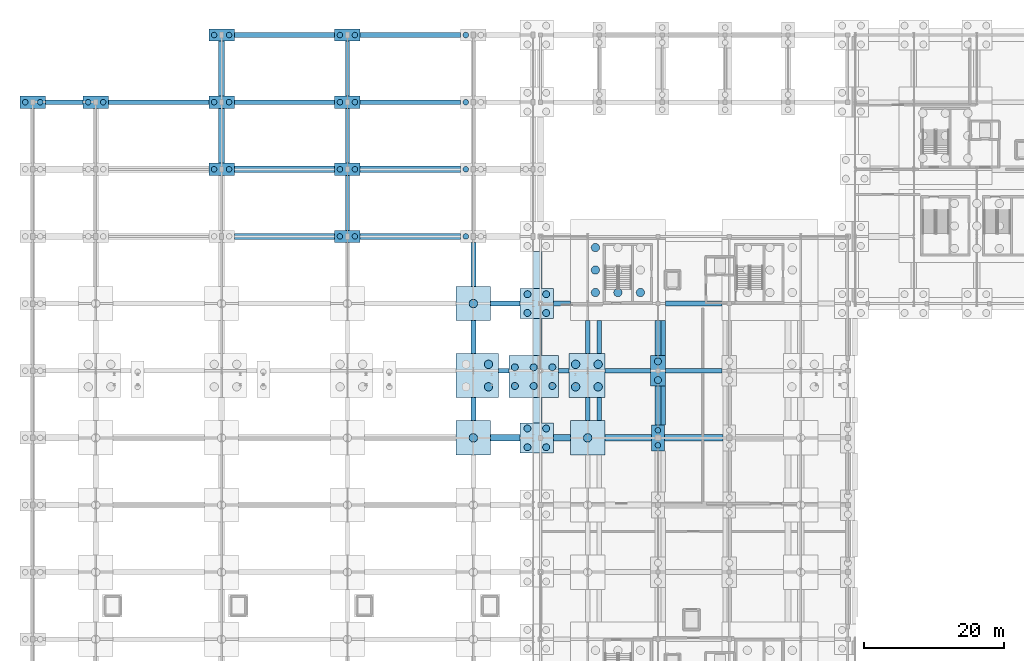
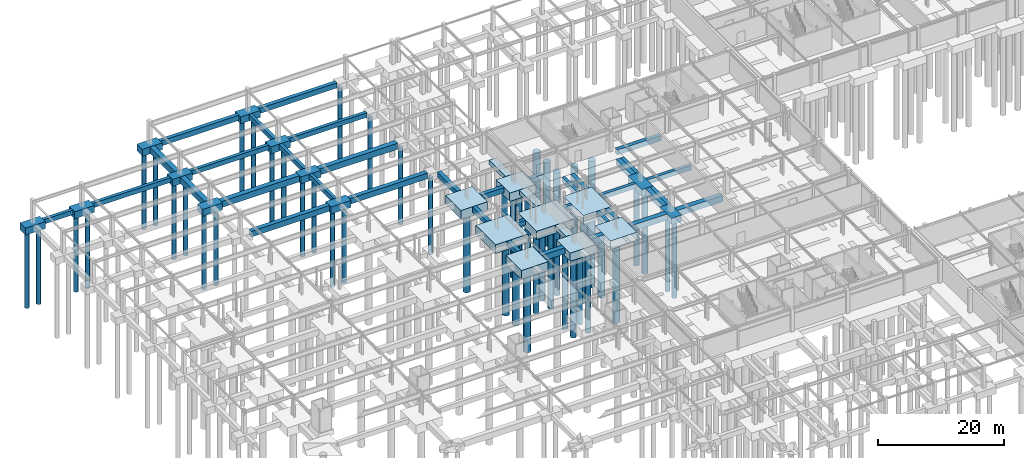
# One storey, part 5 of 59: 59 footings, 54 piles.
"""IFC4 building model written with IfcOpenShell, lengths in metres."""

from ifc_helpers import new_model, si_unit, direction, frame, origin, origin_2d, place, context, subcontext, project, spatial, rectangle, circle, extrude, material, material_profile, profile_set, type_object, element, save


model = new_model("IFC4")

# Units and contexts
model_context = context("Model", 3, precision=1e-05, world=origin(), true_north=direction((0.0, 1.0)))
body_context = subcontext(model_context, "Body", "Model", "MODEL_VIEW")
ifc_project = project(units=[si_unit("LENGTHUNIT", "METRE"), si_unit("AREAUNIT", "SQUARE_METRE"), si_unit("VOLUMEUNIT", "CUBIC_METRE"), si_unit("PLANEANGLEUNIT", "RADIAN"), si_unit("MASSUNIT", "GRAM", prefix="KILO")], contexts=[model_context])

# Site, building, storey
site_placement = place(None, origin())
site = spatial("IfcSite", under=ifc_project, at=site_placement, CompositionType="ELEMENT")
building_placement = place(site_placement, origin())
building = spatial("IfcBuilding", under=site, at=building_placement, Name="Myrtia Square Station", CompositionType="ELEMENT")
storey_placement = place(building_placement, frame((0.0, 0.0, -4.5)))
storey = spatial("IfcBuildingStorey", under=building, at=storey_placement, Name="B01", CompositionType="ELEMENT", Elevation=-4.5)

# Footings
ifc_material = material(Name="Concrete C35/45", Category="concrete")
ifc_material_profile_1 = material_profile(ifc_material, rectangle(XDim=0.60009765625, YDim=0.89990234375, at=origin_2d()), Name="FB 600x900")
ifc_profile_set_1 = profile_set([ifc_material_profile_1], Name="Concrete C35/45")
footing_type_1 = type_object("IfcFootingType", Name="FBM-600x900", PredefinedType="FOOTING_BEAM", material=ifc_profile_set_1)
for number, where, z_axis, x_axis, name in (
    (1, (66.570068359375, 76.800048828125, -0.449951171875), (1.0, 0.0, 0.0), (0.0, 1.0, 0.0), "Seismic foundation tie beam X-0092"),
    (2, (75.169921875, 76.800048828125, -0.449951171875), (1.0, 0.0, 0.0), (0.0, 1.0, 0.0), "Seismic foundation tie beam X-0093"),
):
    element("IfcFooting", number, at=place(storey_placement, frame(where, z_axis=z_axis, x_axis=x_axis)), inside=storey, type_object=footing_type_1, Name=name, PredefinedType="FOOTING_BEAM", context=body_context, shape_type="SweptSolid", body=[
        extrude(rectangle(XDim=0.60009765625, YDim=0.89990234375, at=origin_2d()), origin(), (0.0, 0.0, 1.0), 1.5),
    ])
footing_1_placement = place(storey_placement, frame((81.800048828125, 76.800048828125, -0.449951171875), z_axis=(1.0, 0.0, 0.0), x_axis=(0.0, 1.0, 0.0)))
element("IfcFooting", 3, at=footing_1_placement, inside=storey, type_object=footing_type_1, Name="Seismic foundation tie beam X-0094", PredefinedType="FOOTING_BEAM", context=body_context, shape_type="SweptSolid", body=[
    extrude(rectangle(XDim=0.60009765625, YDim=0.89990234375, at=origin_2d()), origin(), (0.0, 0.0, 1.0), 6.550048828125),
])
footing_2_placement = place(storey_placement, frame((90.449951171875, 76.800048828125, -0.449951171875), z_axis=(1.0, 0.0, 0.0), x_axis=(0.0, 1.0, 0.0)))
element("IfcFooting", 4, at=footing_2_placement, inside=storey, type_object=footing_type_1, Name="Seismic foundation tie beam X-0095", PredefinedType="FOOTING_BEAM", context=body_context, shape_type="SweptSolid", body=[
    extrude(rectangle(XDim=0.60009765625, YDim=0.89990234375, at=origin_2d()), origin(), (0.0, 0.0, 1.0), 8.10009765625),
])
footing_3_placement = place(storey_placement, frame((1.820068359375, 115.199951171875, -0.449951171875), z_axis=(1.0, 0.0, 0.0), x_axis=(0.0, 1.0, 0.0)))
element("IfcFooting", 5, at=footing_3_placement, inside=storey, type_object=footing_type_1, Name="Seismic foundation tie beam X-0130", PredefinedType="FOOTING_BEAM", context=body_context, shape_type="SweptSolid", body=[
    extrude(rectangle(XDim=0.60009765625, YDim=0.89990234375, at=origin_2d()), origin(), (0.0, 0.0, 1.0), 5.35986328125),
])
for number, where, z_axis, x_axis, name in (
    (6, (10.820068359375, 115.199951171875, -0.449951171875), (1.0, 0.0, 0.0), (0.0, 1.0, 0.0), "Seismic foundation tie beam X-0131"),
    (7, (28.820068359375, 115.199951171875, -0.449951171875), (1.0, 0.0, 0.0), (0.0, 1.0, 0.0), "Seismic foundation tie beam X-0132"),
    (8, (46.820068359375, 115.199951171875, -0.449951171875), (1.0, 0.0, 0.0), (0.0, 1.0, 0.0), "Seismic foundation tie beam X-0133"),
):
    element("IfcFooting", number, at=place(storey_placement, frame(where, z_axis=z_axis, x_axis=x_axis)), inside=storey, type_object=footing_type_1, Name=name, PredefinedType="FOOTING_BEAM", context=body_context, shape_type="SweptSolid", body=[
        extrude(rectangle(XDim=0.60009765625, YDim=0.89990234375, at=origin_2d()), origin(), (0.0, 0.0, 1.0), 14.35986328125),
    ])
for number, where, z_axis, x_axis, name in (
    (9, (45.0, 96.8798828125, -0.449951171875), (0.0, 1.0, 0.0), (-1.0, 0.0, 0.0), "Seismic foundation tie beam Y-0199"),
    (10, (45.0, 106.47998046875, -0.449951171875), (0.0, 1.0, 0.0), (-1.0, 0.0, 0.0), "Seismic foundation tie beam Y-0200"),
):
    element("IfcFooting", number, at=place(storey_placement, frame(where, z_axis=z_axis, x_axis=x_axis)), inside=storey, type_object=footing_type_1, Name=name, PredefinedType="FOOTING_BEAM", context=body_context, shape_type="SweptSolid", body=[
        extrude(rectangle(XDim=0.60009765625, YDim=0.89990234375, at=origin_2d()), origin(), (0.0, 0.0, 1.0), 7.840087890625),
    ])
footing_4_placement = place(storey_placement, frame((45.0, 116.080078125, -0.449951171875), z_axis=(0.0, 1.0, 0.0), x_axis=(-1.0, 0.0, 0.0)))
element("IfcFooting", 11, at=footing_4_placement, inside=storey, type_object=footing_type_1, Name="Seismic foundation tie beam Y-0201", PredefinedType="FOOTING_BEAM", context=body_context, shape_type="SweptSolid", body=[
    extrude(rectangle(XDim=0.60009765625, YDim=0.89990234375, at=origin_2d()), origin(), (0.0, 0.0, 1.0), 7.83984375),
])
footing_5_placement = place(storey_placement, frame((79.35009765625, 69.64990234375, -0.449951171875), z_axis=(0.0, 1.0, 0.0), x_axis=(-1.0, 0.0, 0.0)))
element("IfcFooting", 12, at=footing_5_placement, inside=storey, type_object=footing_type_1, Name="Seismic foundation tie beam Y-0233", PredefinedType="FOOTING_BEAM", context=body_context, shape_type="SweptSolid", body=[
    extrude(rectangle(XDim=0.60009765625, YDim=0.89990234375, at=origin_2d()), origin(), (0.0, 0.0, 1.0), 3.31005859375),
])
footing_6_placement = place(storey_placement, frame((79.35009765625, 79.25, -0.449951171875), z_axis=(0.0, 1.0, 0.0), x_axis=(-1.0, 0.0, 0.0)))
element("IfcFooting", 13, at=footing_6_placement, inside=storey, type_object=footing_type_1, Name="Seismic foundation tie beam Y-0234", PredefinedType="FOOTING_BEAM", context=body_context, shape_type="SweptSolid", body=[
    extrude(rectangle(XDim=0.60009765625, YDim=0.89990234375, at=origin_2d()), origin(), (0.0, 0.0, 1.0), 4.699951171875),
])
ifc_material_profile_2 = material_profile(ifc_material, rectangle(XDim=0.699951171875, YDim=1.0, at=origin_2d()), Name="FB 700x1000")
ifc_profile_set_2 = profile_set([ifc_material_profile_2], Name="Concrete C35/45")
footing_type_2 = type_object("IfcFootingType", Name="FBM-700x1000", PredefinedType="FOOTING_BEAM", material=ifc_profile_set_2)
footing_7_placement = place(storey_placement, frame((65.449951171875, 86.39990234375, -0.5), z_axis=(1.0, 0.0, 0.0), x_axis=(0.0, 1.0, 0.0)))
element("IfcFooting", 14, at=footing_7_placement, inside=storey, type_object=footing_type_2, Name="Seismic foundation tie beam X-0103", PredefinedType="FOOTING_BEAM", context=body_context, shape_type="SweptSolid", body=[
    extrude(rectangle(XDim=0.699951171875, YDim=1.0, at=origin_2d()), origin(), (0.0, 0.0, 1.0), 4.22509765625),
])
footing_8_placement = place(storey_placement, frame((74.47509765625, 86.39990234375, -0.5), z_axis=(1.0, 0.0, 0.0), x_axis=(0.0, 1.0, 0.0)))
element("IfcFooting", 15, at=footing_8_placement, inside=storey, type_object=footing_type_2, Name="Seismic foundation tie beam X-0104", PredefinedType="FOOTING_BEAM", context=body_context, shape_type="SweptSolid", body=[
    extrude(rectangle(XDim=0.699951171875, YDim=1.0, at=origin_2d()), origin(), (0.0, 0.0, 1.0), 2.4248046875),
])
footing_9_placement = place(storey_placement, frame((90.449951171875, 86.39990234375, -0.5), z_axis=(1.0, 0.0, 0.0), x_axis=(0.0, 1.0, 0.0)))
element("IfcFooting", 16, at=footing_9_placement, inside=storey, type_object=footing_type_2, Name="Seismic foundation tie beam X-0105", PredefinedType="FOOTING_BEAM", context=body_context, shape_type="SweptSolid", body=[
    extrude(rectangle(XDim=0.699951171875, YDim=1.0, at=origin_2d()), origin(), (0.0, 0.0, 1.0), 8.10009765625),
])
for number, where, z_axis, x_axis, name in (
    (17, (28.820068359375, 124.800048828125, -0.5), (1.0, 0.0, 0.0), (0.0, 1.0, 0.0), "Seismic foundation tie beam X-0145"),
    (18, (46.820068359375, 124.800048828125, -0.5), (1.0, 0.0, 0.0), (0.0, 1.0, 0.0), "Seismic foundation tie beam X-0146"),
):
    element("IfcFooting", number, at=place(storey_placement, frame(where, z_axis=z_axis, x_axis=x_axis)), inside=storey, type_object=footing_type_2, Name=name, PredefinedType="FOOTING_BEAM", context=body_context, shape_type="SweptSolid", body=[
        extrude(rectangle(XDim=0.699951171875, YDim=1.0, at=origin_2d()), origin(), (0.0, 0.0, 1.0), 14.35986328125),
    ])
footing_10_placement = place(storey_placement, frame((63.0, 69.64990234375, -0.5), z_axis=(0.0, 1.0, 0.0), x_axis=(-1.0, 0.0, 0.0)))
element("IfcFooting", 19, at=footing_10_placement, inside=storey, type_object=footing_type_2, Name="Seismic foundation tie beam Y-0209", PredefinedType="FOOTING_BEAM", context=body_context, shape_type="SweptSolid", body=[
    extrude(rectangle(XDim=0.699951171875, YDim=1.0, at=origin_2d()), origin(), (0.0, 0.0, 1.0), 3.31005859375),
])
footing_11_placement = place(storey_placement, frame((63.0, 79.25, -0.5), z_axis=(0.0, 1.0, 0.0), x_axis=(-1.0, 0.0, 0.0)))
element("IfcFooting", 20, at=footing_11_placement, inside=storey, type_object=footing_type_2, Name="Seismic foundation tie beam Y-0210", PredefinedType="FOOTING_BEAM", context=body_context, shape_type="SweptSolid", body=[
    extrude(rectangle(XDim=0.699951171875, YDim=1.0, at=origin_2d()), origin(), (0.0, 0.0, 1.0), 4.699951171875),
])
footing_12_placement = place(storey_placement, frame((63.0, 88.85009765625, -0.5), z_axis=(0.0, 1.0, 0.0), x_axis=(-1.0, 0.0, 0.0)))
element("IfcFooting", 21, at=footing_12_placement, inside=storey, type_object=footing_type_2, Name="Seismic foundation tie beam Y-0211", PredefinedType="FOOTING_BEAM", context=body_context, shape_type="SweptSolid", body=[
    extrude(rectangle(XDim=0.699951171875, YDim=1.0, at=origin_2d()), origin(), (0.0, 0.0, 1.0), 6.27001953125),
])
footing_13_placement = place(storey_placement, frame((81.0, 69.64990234375, -0.5), z_axis=(0.0, 1.0, 0.0), x_axis=(-1.0, 0.0, 0.0)))
element("IfcFooting", 22, at=footing_13_placement, inside=storey, type_object=footing_type_2, Name="Seismic foundation tie beam Y-0241", PredefinedType="FOOTING_BEAM", context=body_context, shape_type="SweptSolid", body=[
    extrude(rectangle(XDim=0.699951171875, YDim=1.0, at=origin_2d()), origin(), (0.0, 0.0, 1.0), 3.31005859375),
])
footing_14_placement = place(storey_placement, frame((81.0, 79.25, -0.5), z_axis=(0.0, 1.0, 0.0), x_axis=(-1.0, 0.0, 0.0)))
element("IfcFooting", 23, at=footing_14_placement, inside=storey, type_object=footing_type_2, Name="Seismic foundation tie beam Y-0242", PredefinedType="FOOTING_BEAM", context=body_context, shape_type="SweptSolid", body=[
    extrude(rectangle(XDim=0.699951171875, YDim=1.0, at=origin_2d()), origin(), (0.0, 0.0, 1.0), 4.699951171875),
])
ifc_material_profile_3 = material_profile(ifc_material, rectangle(XDim=0.800048828125, YDim=1.10009765625, at=origin_2d()), Name="FB 800x1100")
ifc_profile_set_3 = profile_set([ifc_material_profile_3], Name="Concrete C35/45")
footing_type_3 = type_object("IfcFootingType", Name="FBM-800x1100", PredefinedType="FOOTING_BEAM", material=ifc_profile_set_3)
for number, where, z_axis, x_axis, name in (
    (24, (28.820068359375, 96.0, -0.550048828125), (1.0, 0.0, 0.0), (0.0, 1.0, 0.0), "Seismic foundation tie beam X-0110"),
    (25, (46.820068359375, 96.0, -0.550048828125), (1.0, 0.0, 0.0), (0.0, 1.0, 0.0), "Seismic foundation tie beam X-0111"),
):
    element("IfcFooting", number, at=place(storey_placement, frame(where, z_axis=z_axis, x_axis=x_axis)), inside=storey, type_object=footing_type_3, Name=name, PredefinedType="FOOTING_BEAM", context=body_context, shape_type="SweptSolid", body=[
        extrude(rectangle(XDim=0.800048828125, YDim=1.10009765625, at=origin_2d()), origin(), (0.0, 0.0, 1.0), 14.35986328125),
    ])
footing_15_placement = place(storey_placement, frame((89.39990234375, 69.06005859375, -0.550048828125), z_axis=(0.0, 1.0, 0.0), x_axis=(-1.0, 0.0, 0.0)))
element("IfcFooting", 26, at=footing_15_placement, inside=storey, type_object=footing_type_3, Name="Seismic foundation tie beam Y-0250", PredefinedType="FOOTING_BEAM", context=body_context, shape_type="SweptSolid", body=[
    extrude(rectangle(XDim=0.800048828125, YDim=1.10009765625, at=origin_2d()), origin(), (0.0, 0.0, 1.0), 5.56005859375),
])
footing_16_placement = place(storey_placement, frame((89.39990234375, 78.97998046875, -0.550048828125), z_axis=(0.0, 1.0, 0.0), x_axis=(-1.0, 0.0, 0.0)))
element("IfcFooting", 27, at=footing_16_placement, inside=storey, type_object=footing_type_3, Name="Seismic foundation tie beam Y-0251", PredefinedType="FOOTING_BEAM", context=body_context, shape_type="SweptSolid", body=[
    extrude(rectangle(XDim=0.800048828125, YDim=1.10009765625, at=origin_2d()), origin(), (0.0, 0.0, 1.0), 4.969970703125),
])
ifc_material_profile_4 = material_profile(ifc_material, rectangle(XDim=0.89990234375, YDim=1.199951171875, at=origin_2d()), Name="FB 900x1200")
ifc_profile_set_4 = profile_set([ifc_material_profile_4], Name="Concrete C35/45")
footing_type_4 = type_object("IfcFootingType", Name="FBM-900x1200", PredefinedType="FOOTING_BEAM", material=ifc_profile_set_4)
footing_17_placement = place(storey_placement, frame((65.449951171875, 67.199951171875, -0.60009765625), z_axis=(1.0, 0.0, 0.0), x_axis=(0.0, 1.0, 0.0)))
element("IfcFooting", 28, at=footing_17_placement, inside=storey, type_object=footing_type_4, Name="Seismic foundation tie beam X-0078", PredefinedType="FOOTING_BEAM", context=body_context, shape_type="SweptSolid", body=[
    extrude(rectangle(XDim=0.89990234375, YDim=1.199951171875, at=origin_2d()), origin(), (0.0, 0.0, 1.0), 4.22509765625),
])
footing_18_placement = place(storey_placement, frame((74.47509765625, 67.199951171875, -0.60009765625), z_axis=(1.0, 0.0, 0.0), x_axis=(0.0, 1.0, 0.0)))
element("IfcFooting", 29, at=footing_18_placement, inside=storey, type_object=footing_type_4, Name="Seismic foundation tie beam X-0079", PredefinedType="FOOTING_BEAM", context=body_context, shape_type="SweptSolid", body=[
    extrude(rectangle(XDim=0.89990234375, YDim=1.199951171875, at=origin_2d()), origin(), (0.0, 0.0, 1.0), 2.4248046875),
])
footing_19_placement = place(storey_placement, frame((81.800048828125, 67.199951171875, -0.60009765625), z_axis=(1.0, 0.0, 0.0), x_axis=(0.0, 1.0, 0.0)))
element("IfcFooting", 30, at=footing_19_placement, inside=storey, type_object=footing_type_4, Name="Seismic foundation tie beam X-0080", PredefinedType="FOOTING_BEAM", context=body_context, shape_type="SweptSolid", body=[
    extrude(rectangle(XDim=0.89990234375, YDim=1.199951171875, at=origin_2d()), origin(), (0.0, 0.0, 1.0), 6.679931640625),
])
footing_20_placement = place(storey_placement, frame((90.320068359375, 67.199951171875, -0.60009765625), z_axis=(1.0, 0.0, 0.0), x_axis=(0.0, 1.0, 0.0)))
element("IfcFooting", 31, at=footing_20_placement, inside=storey, type_object=footing_type_4, Name="Seismic foundation tie beam X-0081", PredefinedType="FOOTING_BEAM", context=body_context, shape_type="SweptSolid", body=[
    extrude(rectangle(XDim=0.89990234375, YDim=1.199951171875, at=origin_2d()), origin(), (0.0, 0.0, 1.0), 8.35986328125),
])
for number, where, z_axis, x_axis, name in (
    (32, (28.820068359375, 105.60009765625, -0.60009765625), (1.0, 0.0, 0.0), (0.0, 1.0, 0.0), "Seismic foundation tie beam X-0122"),
    (33, (46.820068359375, 105.60009765625, -0.60009765625), (1.0, 0.0, 0.0), (0.0, 1.0, 0.0), "Seismic foundation tie beam X-0123"),
):
    element("IfcFooting", number, at=place(storey_placement, frame(where, z_axis=z_axis, x_axis=x_axis)), inside=storey, type_object=footing_type_4, Name=name, PredefinedType="FOOTING_BEAM", context=body_context, shape_type="SweptSolid", body=[
        extrude(rectangle(XDim=0.89990234375, YDim=1.199951171875, at=origin_2d()), origin(), (0.0, 0.0, 1.0), 14.35986328125),
    ])
footing_21_placement = place(storey_placement, frame((27.0, 106.47998046875, -0.60009765625), z_axis=(0.0, 1.0, 0.0), x_axis=(-1.0, 0.0, 0.0)))
element("IfcFooting", 34, at=footing_21_placement, inside=storey, type_object=footing_type_4, Name="Seismic foundation tie beam Y-0187", PredefinedType="FOOTING_BEAM", context=body_context, shape_type="SweptSolid", body=[
    extrude(rectangle(XDim=0.89990234375, YDim=1.199951171875, at=origin_2d()), origin(), (0.0, 0.0, 1.0), 7.840087890625),
])
footing_22_placement = place(storey_placement, frame((27.0, 116.080078125, -0.60009765625), z_axis=(0.0, 1.0, 0.0), x_axis=(-1.0, 0.0, 0.0)))
element("IfcFooting", 35, at=footing_22_placement, inside=storey, type_object=footing_type_4, Name="Seismic foundation tie beam Y-0188", PredefinedType="FOOTING_BEAM", context=body_context, shape_type="SweptSolid", body=[
    extrude(rectangle(XDim=0.89990234375, YDim=1.199951171875, at=origin_2d()), origin(), (0.0, 0.0, 1.0), 7.83984375),
])
footing_23_placement = place(storey_placement, frame((90.0, 69.06005859375, -0.60009765625), z_axis=(0.0, 1.0, 0.0), x_axis=(-1.0, 0.0, 0.0)))
element("IfcFooting", 36, at=footing_23_placement, inside=storey, type_object=footing_type_4, Name="Seismic foundation tie beam Y-0259", PredefinedType="FOOTING_BEAM", context=body_context, shape_type="SweptSolid", body=[
    extrude(rectangle(XDim=0.89990234375, YDim=1.199951171875, at=origin_2d()), origin(), (0.0, 0.0, 1.0), 5.56005859375),
])
footing_24_placement = place(storey_placement, frame((90.0, 78.97998046875, -0.60009765625), z_axis=(0.0, 1.0, 0.0), x_axis=(-1.0, 0.0, 0.0)))
element("IfcFooting", 37, at=footing_24_placement, inside=storey, type_object=footing_type_4, Name="Seismic foundation tie beam Y-0260", PredefinedType="FOOTING_BEAM", context=body_context, shape_type="SweptSolid", body=[
    extrude(rectangle(XDim=0.89990234375, YDim=1.199951171875, at=origin_2d()), origin(), (0.0, 0.0, 1.0), 4.969970703125),
])
footing_type_5 = type_object("IfcFootingType", Name="FCAP-184x372x130", PredefinedType="PILE_CAP", material=ifc_material)
footing_25_placement = place(storey_placement, frame((89.39990234375, 67.199951171875, -1.2998046875), z_axis=(0.0, 0.0, 1.0), x_axis=(1.0, 0.0, 0.0)))
element("IfcFooting", 38, at=footing_25_placement, inside=storey, type_object=footing_type_5, Name="Reinforced concrete pile cap CAP-L2Y-116", PredefinedType="PILE_CAP", context=body_context, shape_type="SweptSolid", body=[
    extrude(rectangle(XDim=1.840087890625, YDim=3.719970703125, at=origin_2d()), origin(), (0.0, 0.0, 1.0), 1.300048828125),
])
footing_type_6 = type_object("IfcFootingType", Name="FCAP-210x436x145", PredefinedType="PILE_CAP", material=ifc_material)
footing_26_placement = place(storey_placement, frame((89.39990234375, 76.800048828125, -1.4501953125), z_axis=(0.0, 0.0, 1.0), x_axis=(1.0, 0.0, 0.0)))
element("IfcFooting", 39, at=footing_26_placement, inside=storey, type_object=footing_type_6, Name="Reinforced concrete pile cap CAP-M2Y-117", PredefinedType="PILE_CAP", context=body_context, shape_type="SweptSolid", body=[
    extrude(rectangle(XDim=2.10009765625, YDim=4.360107421875, at=origin_2d()), origin(), (0.0, 0.0, 1.0), 1.449951171875),
])
footing_type_7 = type_object("IfcFootingType", Name="FCAP-364x176x135", PredefinedType="PILE_CAP", material=ifc_material)
for number, where, z_axis, x_axis, name in (
    (40, (0.0, 115.199951171875, -1.35009765625), (0.0, 0.0, 1.0), (1.0, 0.0, 0.0), "Reinforced concrete pile cap CAP-L2X-011"),
    (41, (9.0, 115.199951171875, -1.35009765625), (0.0, 0.0, 1.0), (1.0, 0.0, 0.0), "Reinforced concrete pile cap CAP-L2X-023"),
    (42, (27.0, 105.60009765625, -1.35009765625), (0.0, 0.0, 1.0), (1.0, 0.0, 0.0), "Reinforced concrete pile cap CAP-L2X-035"),
    (43, (27.0, 115.199951171875, -1.35009765625), (0.0, 0.0, 1.0), (1.0, 0.0, 0.0), "Reinforced concrete pile cap CAP-L2X-036"),
    (44, (27.0, 124.800048828125, -1.35009765625), (0.0, 0.0, 1.0), (1.0, 0.0, 0.0), "Reinforced concrete pile cap CAP-L2X-037"),
    (45, (45.0, 96.0, -1.35009765625), (0.0, 0.0, 1.0), (1.0, 0.0, 0.0), "Reinforced concrete pile cap CAP-L2X-048"),
    (46, (45.0, 105.60009765625, -1.35009765625), (0.0, 0.0, 1.0), (1.0, 0.0, 0.0), "Reinforced concrete pile cap CAP-L2X-049"),
    (47, (45.0, 115.199951171875, -1.35009765625), (0.0, 0.0, 1.0), (1.0, 0.0, 0.0), "Reinforced concrete pile cap CAP-L2X-050"),
    (48, (45.0, 124.800048828125, -1.35009765625), (0.0, 0.0, 1.0), (1.0, 0.0, 0.0), "Reinforced concrete pile cap CAP-L2X-051"),
):
    element("IfcFooting", number, at=place(storey_placement, frame(where, z_axis=z_axis, x_axis=x_axis)), inside=storey, type_object=footing_type_7, Name=name, PredefinedType="PILE_CAP", context=body_context, shape_type="SweptSolid", body=[
        extrude(rectangle(XDim=3.639892578125, YDim=1.760009765625, at=origin_2d()), origin(), (0.0, 0.0, 1.0), 1.35009765625),
    ])
footing_type_8 = type_object("IfcFootingType", Name="FCAP-480x430x160", PredefinedType="PILE_CAP", material=ifc_material)
for number, where, z_axis, x_axis, name in (
    (49, (72.074951171875, 67.199951171875, -1.60009765625), (0.0, 0.0, 1.0), (1.0, 0.0, 0.0), "Reinforced concrete pile cap CAP-JT-073"),
    (50, (72.074951171875, 86.39990234375, -1.60009765625), (0.0, 0.0, 1.0), (1.0, 0.0, 0.0), "Reinforced concrete pile cap CAP-JT-075"),
):
    element("IfcFooting", number, at=place(storey_placement, frame(where, z_axis=z_axis, x_axis=x_axis)), inside=storey, type_object=footing_type_8, Name=name, PredefinedType="PILE_CAP", context=body_context, shape_type="SweptSolid", body=[
        extrude(rectangle(XDim=4.800048828125, YDim=4.300048828125, at=origin_2d()), origin(), (0.0, 0.0, 1.0), 1.60009765625),
    ])
footing_type_9 = type_object("IfcFootingType", Name="FCAP-490x490x170", PredefinedType="PILE_CAP", material=ifc_material)
for number, where, z_axis, x_axis, name in (
    (51, (63.0, 67.199951171875, -1.7001953125), (0.0, 0.0, 1.0), (1.0, 0.0, 0.0), "Reinforced concrete pile cap CAP-H4-059"),
    (52, (63.0, 86.39990234375, -1.7001953125), (0.0, 0.0, 1.0), (1.0, 0.0, 0.0), "Reinforced concrete pile cap CAP-H4-061"),
    (53, (79.35009765625, 67.199951171875, -1.7001953125), (0.0, 0.0, 1.0), (1.0, 0.0, 0.0), "Reinforced concrete pile cap CAP-H4-098"),
):
    element("IfcFooting", number, at=place(storey_placement, frame(where, z_axis=z_axis, x_axis=x_axis)), inside=storey, type_object=footing_type_9, Name=name, PredefinedType="PILE_CAP", context=body_context, shape_type="SweptSolid", body=[
        extrude(rectangle(XDim=4.89990234375, YDim=4.89990234375, at=origin_2d()), origin(), (0.0, 0.0, 1.0), 1.699951171875),
    ])
footing_type_10 = type_object("IfcFootingType", Name="FCAP-513x629x170", PredefinedType="PILE_CAP", material=ifc_material)
footing_27_placement = place(storey_placement, frame((79.235107421875, 76.10498046875, -1.7001953125), z_axis=(0.0, 0.0, 1.0), x_axis=(1.0, 0.0, 0.0)))
element("IfcFooting", 54, at=footing_27_placement, inside=storey, type_object=footing_type_10, Name="Reinforced concrete pile cap CAP-H4-102", PredefinedType="PILE_CAP", context=body_context, shape_type="SweptSolid", body=[
    extrude(rectangle(XDim=5.1298828125, YDim=6.2900390625, at=origin_2d()), origin(), (0.0, 0.0, 1.0), 1.699951171875),
])
footing_type_11 = type_object("IfcFootingType", Name="FCAP-602x629x170", PredefinedType="PILE_CAP", material=ifc_material)
footing_28_placement = place(storey_placement, frame((63.56005859375, 76.10498046875, -1.7001953125), z_axis=(0.0, 0.0, 1.0), x_axis=(1.0, 0.0, 0.0)))
element("IfcFooting", 55, at=footing_28_placement, inside=storey, type_object=footing_type_11, Name="Reinforced concrete pile cap CAP-H4-060", PredefinedType="PILE_CAP", context=body_context, shape_type="SweptSolid", body=[
    extrude(rectangle(XDim=6.02001953125, YDim=6.2900390625, at=origin_2d()), origin(), (0.0, 0.0, 1.0), 1.699951171875),
])
footing_type_12 = type_object("IfcFootingType", Name="FCAP-710x599x160", PredefinedType="PILE_CAP", material=ifc_material)
footing_29_placement = place(storey_placement, frame((71.6201171875, 75.955078125, -1.60009765625), z_axis=(0.0, 0.0, 1.0), x_axis=(1.0, 0.0, 0.0)))
element("IfcFooting", 56, at=footing_29_placement, inside=storey, type_object=footing_type_12, Name="Reinforced concrete pile cap CAP-JT-074", PredefinedType="PILE_CAP", context=body_context, shape_type="SweptSolid", body=[
    extrude(rectangle(XDim=7.10009765625, YDim=5.989990234375, at=origin_2d()), origin(), (0.0, 0.0, 1.0), 1.60009765625),
])

# Piles
ifc_material_profile_5 = material_profile(ifc_material, circle(Radius=0.5, at=origin_2d()), Name="BP D1000")
ifc_profile_set_5 = profile_set([ifc_material_profile_5], Name="Concrete C35/45")
pile_type_1 = type_object("IfcPileType", Name="PIL-BP1000", PredefinedType="BORED", material=ifc_profile_set_5)
for number, where, z_axis, x_axis, name in (
    (57, (70.735107421875, 65.860107421875, -1.5), (0.0, 0.0, -1.0), (1.0, 0.0, 0.0), "Bored pile 0239"),
    (58, (70.735107421875, 68.5400390625, -1.5), (0.0, 0.0, -1.0), (1.0, 0.0, 0.0), "Bored pile 0240"),
    (59, (73.4150390625, 65.860107421875, -1.5), (0.0, 0.0, -1.0), (1.0, 0.0, 0.0), "Bored pile 0241"),
    (60, (73.4150390625, 68.5400390625, -1.5), (0.0, 0.0, -1.0), (1.0, 0.0, 0.0), "Bored pile 0242"),
    (61, (68.93994140625, 74.614990234375, -1.5), (0.0, 0.0, -1.0), (1.0, 0.0, 0.0), "Bored pile 0243"),
    (62, (68.93994140625, 77.294921875, -1.5), (0.0, 0.0, -1.0), (1.0, 0.0, 0.0), "Bored pile 0244"),
    (63, (71.6201171875, 74.614990234375, -1.5), (0.0, 0.0, -1.0), (1.0, 0.0, 0.0), "Bored pile 0245"),
    (64, (71.6201171875, 77.294921875, -1.5), (0.0, 0.0, -1.0), (1.0, 0.0, 0.0), "Bored pile 0246"),
    (65, (74.300048828125, 74.614990234375, -1.5), (0.0, 0.0, -1.0), (1.0, 0.0, 0.0), "Bored pile 0247"),
    (66, (74.300048828125, 77.294921875, -1.5), (0.0, 0.0, -1.0), (1.0, 0.0, 0.0), "Bored pile 0248"),
    (67, (70.735107421875, 85.06005859375, -1.5), (0.0, 0.0, -1.0), (1.0, 0.0, 0.0), "Bored pile 0249"),
    (68, (70.735107421875, 87.739990234375, -1.5), (0.0, 0.0, -1.0), (1.0, 0.0, 0.0), "Bored pile 0250"),
    (69, (73.4150390625, 85.06005859375, -1.5), (0.0, 0.0, -1.0), (1.0, 0.0, 0.0), "Bored pile 0251"),
    (70, (73.4150390625, 87.739990234375, -1.5), (0.0, 0.0, -1.0), (1.0, 0.0, 0.0), "Bored pile 0252"),
):
    element("IfcPile", number, at=place(storey_placement, frame(where, z_axis=z_axis, x_axis=x_axis)), inside=storey, type_object=pile_type_1, Name=name, PredefinedType="BORED", context=body_context, shape_type="SweptSolid", body=[
        extrude(circle(Radius=0.5, at=origin_2d()), origin(), (0.0, 0.0, 1.0), 15.5),
    ])
for number, where, z_axis, x_axis, name in (
    (71, (89.39990234375, 75.4599609375, -1.35009765625), (0.0, 0.0, -1.0), (1.0, 0.0, 0.0), "Bored pile 0307"),
    (72, (89.39990234375, 78.139892578125, -1.35009765625), (0.0, 0.0, -1.0), (1.0, 0.0, 0.0), "Bored pile 0308"),
):
    element("IfcPile", number, at=place(storey_placement, frame(where, z_axis=z_axis, x_axis=x_axis)), inside=storey, type_object=pile_type_1, Name=name, PredefinedType="BORED", context=body_context, shape_type="SweptSolid", body=[
        extrude(circle(Radius=0.5, at=origin_2d()), origin(), (0.0, 0.0, 1.0), 15.64990234375),
    ])
ifc_material_profile_6 = material_profile(ifc_material, circle(Radius=0.60009765625, at=origin_2d()), Name="BP D1200")
ifc_profile_set_6 = profile_set([ifc_material_profile_6], Name="Concrete C35/45")
pile_type_2 = type_object("IfcPileType", Name="PIL-BP1200", PredefinedType="BORED", material=ifc_profile_set_6)
for number, where, z_axis, x_axis, name in (
    (73, (80.458984375, 87.98388671875, -1.699951171875), (0.0, 0.0, -1.0), (1.0, 0.0, 0.0), "Bored pile 0010"),
    (74, (80.458984375, 91.199951171875, -1.699951171875), (0.0, 0.0, -1.0), (1.0, 0.0, 0.0), "Bored pile 0011"),
    (75, (80.458984375, 94.416015625, -1.699951171875), (0.0, 0.0, -1.0), (1.0, 0.0, 0.0), "Bored pile 0012"),
    (76, (83.675048828125, 87.98388671875, -1.699951171875), (0.0, 0.0, -1.0), (1.0, 0.0, 0.0), "Bored pile 0013"),
    (77, (86.89111328125, 87.98388671875, -1.699951171875), (0.0, 0.0, -1.0), (1.0, 0.0, 0.0), "Bored pile 0016"),
):
    element("IfcPile", number, at=place(storey_placement, frame(where, z_axis=z_axis, x_axis=x_axis)), inside=storey, type_object=pile_type_2, Name=name, PredefinedType="BORED", context=body_context, shape_type="SweptSolid", body=[
        extrude(circle(Radius=0.60009765625, at=origin_2d()), origin(), (0.0, 0.0, 1.0), 16.199951171875),
    ])
for number, where, z_axis, x_axis, name in (
    (78, (63.0, 67.199951171875, -1.60009765625), (0.0, 0.0, -1.0), (1.0, 0.0, 0.0), "Bored pile 0197"),
    (79, (65.16796875, 74.4970703125, -1.60009765625), (0.0, 0.0, -1.0), (1.0, 0.0, 0.0), "Bored pile 0200"),
    (80, (65.16796875, 77.712890625, -1.60009765625), (0.0, 0.0, -1.0), (1.0, 0.0, 0.0), "Bored pile 0201"),
    (81, (63.0, 86.39990234375, -1.60009765625), (0.0, 0.0, -1.0), (1.0, 0.0, 0.0), "Bored pile 0202"),
    (82, (79.35009765625, 67.199951171875, -1.60009765625), (0.0, 0.0, -1.0), (1.0, 0.0, 0.0), "Bored pile 0281"),
    (83, (77.626953125, 74.4970703125, -1.60009765625), (0.0, 0.0, -1.0), (1.0, 0.0, 0.0), "Bored pile 0285"),
    (84, (77.626953125, 77.712890625, -1.60009765625), (0.0, 0.0, -1.0), (1.0, 0.0, 0.0), "Bored pile 0286"),
    (85, (80.843017578125, 74.4970703125, -1.60009765625), (0.0, 0.0, -1.0), (1.0, 0.0, 0.0), "Bored pile 0287"),
    (86, (80.843017578125, 77.712890625, -1.60009765625), (0.0, 0.0, -1.0), (1.0, 0.0, 0.0), "Bored pile 0288"),
):
    element("IfcPile", number, at=place(storey_placement, frame(where, z_axis=z_axis, x_axis=x_axis)), inside=storey, type_object=pile_type_2, Name=name, PredefinedType="BORED", context=body_context, shape_type="SweptSolid", body=[
        extrude(circle(Radius=0.60009765625, at=origin_2d()), origin(), (0.0, 0.0, 1.0), 16.300048828125),
    ])
ifc_material_profile_7 = material_profile(ifc_material, circle(Radius=0.39990234375, at=origin_2d()), Name="BP D800")
ifc_profile_set_7 = profile_set([ifc_material_profile_7], Name="Concrete C35/45")
pile_type_3 = type_object("IfcPileType", Name="PIL-BP800", PredefinedType="BORED", material=ifc_profile_set_7)
for number, where, z_axis, x_axis, name in (
    (87, (-1.072021484375, 115.199951171875, -1.25), (0.0, 0.0, -1.0), (1.0, 0.0, 0.0), "Bored pile 0113"),
    (88, (1.072021484375, 115.199951171875, -1.25), (0.0, 0.0, -1.0), (1.0, 0.0, 0.0), "Bored pile 0114"),
    (89, (7.927978515625, 115.199951171875, -1.25), (0.0, 0.0, -1.0), (1.0, 0.0, 0.0), "Bored pile 0134"),
    (90, (10.072021484375, 115.199951171875, -1.25), (0.0, 0.0, -1.0), (1.0, 0.0, 0.0), "Bored pile 0135"),
    (91, (25.927978515625, 105.60009765625, -1.25), (0.0, 0.0, -1.0), (1.0, 0.0, 0.0), "Bored pile 0155"),
    (92, (28.072021484375, 105.60009765625, -1.25), (0.0, 0.0, -1.0), (1.0, 0.0, 0.0), "Bored pile 0156"),
    (93, (25.927978515625, 115.199951171875, -1.25), (0.0, 0.0, -1.0), (1.0, 0.0, 0.0), "Bored pile 0157"),
    (94, (28.072021484375, 115.199951171875, -1.25), (0.0, 0.0, -1.0), (1.0, 0.0, 0.0), "Bored pile 0158"),
    (95, (25.927978515625, 124.800048828125, -1.25), (0.0, 0.0, -1.0), (1.0, 0.0, 0.0), "Bored pile 0159"),
    (96, (28.072021484375, 124.800048828125, -1.25), (0.0, 0.0, -1.0), (1.0, 0.0, 0.0), "Bored pile 0160"),
    (97, (43.927978515625, 96.0, -1.25), (0.0, 0.0, -1.0), (1.0, 0.0, 0.0), "Bored pile 0178"),
    (98, (46.072021484375, 96.0, -1.25), (0.0, 0.0, -1.0), (1.0, 0.0, 0.0), "Bored pile 0179"),
    (99, (43.927978515625, 105.60009765625, -1.25), (0.0, 0.0, -1.0), (1.0, 0.0, 0.0), "Bored pile 0180"),
    (100, (46.072021484375, 105.60009765625, -1.25), (0.0, 0.0, -1.0), (1.0, 0.0, 0.0), "Bored pile 0181"),
    (101, (43.927978515625, 115.199951171875, -1.25), (0.0, 0.0, -1.0), (1.0, 0.0, 0.0), "Bored pile 0182"),
    (102, (46.072021484375, 115.199951171875, -1.25), (0.0, 0.0, -1.0), (1.0, 0.0, 0.0), "Bored pile 0183"),
    (103, (43.927978515625, 124.800048828125, -1.25), (0.0, 0.0, -1.0), (1.0, 0.0, 0.0), "Bored pile 0184"),
    (104, (46.072021484375, 124.800048828125, -1.25), (0.0, 0.0, -1.0), (1.0, 0.0, 0.0), "Bored pile 0185"),
    (105, (61.927978515625, 96.0, -1.25), (0.0, 0.0, -1.0), (1.0, 0.0, 0.0), "Bored pile 0203"),
    (106, (61.927978515625, 105.60009765625, -1.25), (0.0, 0.0, -1.0), (1.0, 0.0, 0.0), "Bored pile 0205"),
    (107, (61.927978515625, 115.199951171875, -1.25), (0.0, 0.0, -1.0), (1.0, 0.0, 0.0), "Bored pile 0207"),
    (108, (61.927978515625, 124.800048828125, -1.25), (0.0, 0.0, -1.0), (1.0, 0.0, 0.0), "Bored pile 0209"),
):
    element("IfcPile", number, at=place(storey_placement, frame(where, z_axis=z_axis, x_axis=x_axis)), inside=storey, type_object=pile_type_3, Name=name, PredefinedType="BORED", context=body_context, shape_type="SweptSolid", body=[
        extrude(circle(Radius=0.39990234375, at=origin_2d()), origin(), (0.0, 0.0, 1.0), 14.85009765625),
    ])
for number, where, z_axis, x_axis, name in (
    (109, (89.39990234375, 66.1279296875, -1.199951171875), (0.0, 0.0, -1.0), (1.0, 0.0, 0.0), "Bored pile 0305"),
    (110, (89.39990234375, 68.27197265625, -1.199951171875), (0.0, 0.0, -1.0), (1.0, 0.0, 0.0), "Bored pile 0306"),
):
    element("IfcPile", number, at=place(storey_placement, frame(where, z_axis=z_axis, x_axis=x_axis)), inside=storey, type_object=pile_type_3, Name=name, PredefinedType="BORED", context=body_context, shape_type="SweptSolid", body=[
        extrude(circle(Radius=0.39990234375, at=origin_2d()), origin(), (0.0, 0.0, 1.0), 14.89990234375),
    ])

# Footings
footing_type_13 = type_object("IfcFootingType", Name="SF-1400x900", PredefinedType="STRIP_FOOTING", material=ifc_material)
footing_30_placement = place(storey_placement, frame((72.14990234375, 71.155029296875, -0.89990234375), z_axis=(0.0, 0.0, 1.0), x_axis=(1.0, 0.0, 0.0)))
element("IfcFooting", 111, at=footing_30_placement, inside=storey, type_object=footing_type_13, Name="Retaining wall strip footing 007", PredefinedType="STRIP_FOOTING", context=body_context, shape_type="SweptSolid", body=[
    extrude(rectangle(XDim=1.39990234375, YDim=3.610107421875, at=origin_2d()), origin(), (0.0, 0.0, 1.0), 0.89990234375),
])
for number, where, z_axis, x_axis, name in (
    (112, (72.14990234375, 81.60009765625, -0.89990234375), (0.0, 0.0, 1.0), (1.0, 0.0, 0.0), "Retaining wall strip footing 008"),
    (113, (72.14990234375, 91.199951171875, -0.89990234375), (0.0, 0.0, 1.0), (1.0, 0.0, 0.0), "Retaining wall strip footing 009"),
):
    element("IfcFooting", number, at=place(storey_placement, frame(where, z_axis=z_axis, x_axis=x_axis)), inside=storey, type_object=footing_type_13, Name=name, PredefinedType="STRIP_FOOTING", context=body_context, shape_type="SweptSolid", body=[
        extrude(rectangle(XDim=1.39990234375, YDim=5.300048828125, at=origin_2d()), origin(), (0.0, 0.0, 1.0), 0.89990234375),
    ])

save(model, "model.ifc")
